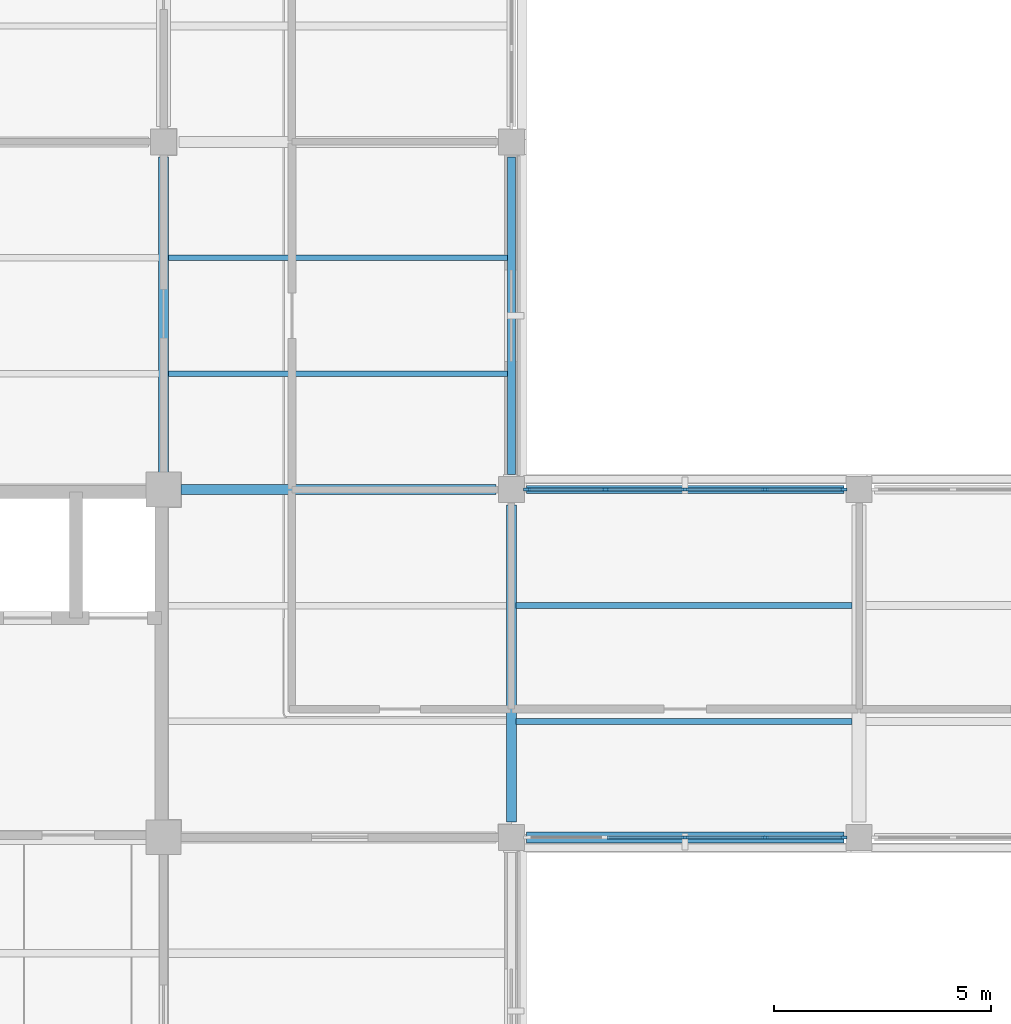
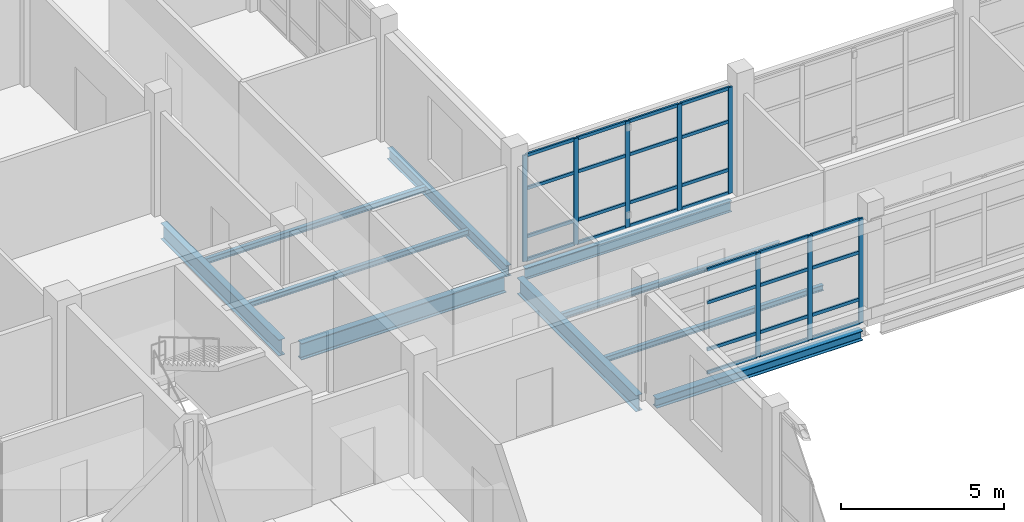
# One storey, part 30 of 121: 36 members, 10 beams, 2 elements without a shape of their own.
"""IFC4 building model written with IfcOpenShell, lengths in metres."""

from ifc_helpers import new_model, si_unit, derived_unit, direction, frame, origin, origin_2d, place, context, subcontext, project, spatial, rectangle, i_section, extrude, material, layer, layer_set, material_profile, profile_set, type_object, element, aggregate, save


model = new_model("IFC4")

# Units and contexts
model_context = context("Model", 3, precision=1e-05, world=origin(), true_north=direction((0.0, 1.0)))
body_context = subcontext(model_context, "Body", "Model", "MODEL_VIEW")
ifc_project = project(units=[si_unit("LENGTHUNIT", "METRE"), si_unit("AREAUNIT", "SQUARE_METRE"), si_unit("VOLUMEUNIT", "CUBIC_METRE"), si_unit("PLANEANGLEUNIT", "RADIAN"), si_unit("MASSUNIT", "GRAM", prefix="KILO"), derived_unit("THERMALTRANSMITTANCEUNIT", [(si_unit("MASSUNIT", "GRAM", prefix="KILO"), 1), (si_unit("TIMEUNIT", "SECOND"), -3), (si_unit("THERMODYNAMICTEMPERATUREUNIT", "KELVIN"), -1)])], contexts=[model_context])

# Site, building, storey
site_placement = place(None, origin())
site = spatial("IfcSite", under=ifc_project, at=site_placement, CompositionType="ELEMENT")
building_placement = place(site_placement, origin())
building = spatial("IfcBuilding", under=site, at=building_placement, Name="Veyamyaing Civic Hall", CompositionType="ELEMENT")
storey_placement = place(building_placement, frame((0.0, 0.0, 5.280029296875)))
storey = spatial("IfcBuildingStorey", under=building, at=storey_placement, Name="L01", CompositionType="ELEMENT", Elevation=5.280029296875)

# Beams
ifc_material_1 = material(Name="Steel ASTM A992", Category="steel")
ifc_material_profile_1 = material_profile(ifc_material_1, i_section(OverallWidth=0.22998046875, OverallDepth=0.616943359375, WebThickness=0.01318359375, FlangeThickness=0.022216796875, FilletRadius=0.012939453125, at=origin_2d()), Name="W610X140")
ifc_profile_set_1 = profile_set([ifc_material_profile_1], Name="Steel ASTM A992")
beam_type_1 = type_object("IfcBeamType", Name="B-05", PredefinedType="BEAM", material=ifc_profile_set_1)
beam_1_placement = place(storey_placement, frame((112.39990234375, 56.0, -0.553466796875), z_axis=(1.0, 0.0, 0.0), x_axis=(0.0, 1.0, 0.0)))
element("IfcBeam", 1, at=beam_1_placement, inside=storey, type_object=beam_type_1, Name="Girder B-05 L01 Grid H 15-16", PredefinedType="BEAM", context=body_context, shape_type="SweptSolid", body=[
    extrude(i_section(OverallWidth=0.22998046875, OverallDepth=0.616943359375, WebThickness=0.01318359375, FlangeThickness=0.022216796875, FilletRadius=0.012939453125, at=origin_2d()), origin(), (0.0, 0.0, 1.0), 7.25),
])
ifc_material_profile_2 = material_profile(ifc_material_1, i_section(OverallWidth=0.22802734375, OverallDepth=0.60791015625, WebThickness=0.01123046875, FlangeThickness=0.017333984375, FilletRadius=0.012939453125, at=origin_2d()), Name="W610X113")
ifc_profile_set_2 = profile_set([ifc_material_profile_2], Name="Steel ASTM A992")
beam_type_2 = type_object("IfcBeamType", Name="B-06", PredefinedType="BEAM", material=ifc_profile_set_2)
beam_2_placement = place(storey_placement, frame((112.0, 56.39990234375, -0.549072265625), z_axis=(0.0, 1.0, 0.0), x_axis=(-1.0, 0.0, 0.0)))
element("IfcBeam", 2, at=beam_2_placement, inside=storey, type_object=beam_type_2, Name="Girder B-06 L01 Grid 15 H-J", PredefinedType="BEAM", context=body_context, shape_type="SweptSolid", body=[
    extrude(i_section(OverallWidth=0.22802734375, OverallDepth=0.60791015625, WebThickness=0.01123046875, FlangeThickness=0.017333984375, FilletRadius=0.012939453125, at=origin_2d()), origin(), (0.0, 0.0, 1.0), 7.25),
])
beam_3_placement = place(storey_placement, frame((120.0, 48.35009765625, -0.549072265625), z_axis=(0.0, 1.0, 0.0), x_axis=(-1.0, 0.0, 0.0)))
element("IfcBeam", 3, at=beam_3_placement, inside=storey, type_object=beam_type_2, Name="Girder B-06 L01 Grid 16 G-H", PredefinedType="BEAM", context=body_context, shape_type="SweptSolid", body=[
    extrude(i_section(OverallWidth=0.22802734375, OverallDepth=0.60791015625, WebThickness=0.01123046875, FlangeThickness=0.017333984375, FilletRadius=0.012939453125, at=origin_2d()), origin(), (0.0, 0.0, 1.0), 7.2998046875),
])
ifc_material_profile_3 = material_profile(ifc_material_1, i_section(OverallWidth=0.179931640625, OverallDepth=0.4130859375, WebThickness=0.009765625, FlangeThickness=0.01611328125, FilletRadius=0.010009765625, at=origin_2d()), Name="W410X74")
ifc_profile_set_3 = profile_set([ifc_material_profile_3], Name="Steel ASTM A992")
beam_type_3 = type_object("IfcBeamType", Name="B-10", PredefinedType="SPANDREL", material=ifc_profile_set_3)
for number, where, z_axis, x_axis, name in (
    (4, (120.35009765625, 56.0, -0.451416015625), (1.0, 0.0, 0.0), (0.0, 1.0, 0.0), "Girder B-10 L01 Grid H 16-17"),
    (5, (120.0, 56.35009765625, -0.451416015625), (0.0, 1.0, 0.0), (-1.0, 0.0, 0.0), "Girder B-10 L01 Grid 16 H-J"),
):
    element("IfcBeam", number, at=place(storey_placement, frame(where, z_axis=z_axis, x_axis=x_axis)), inside=storey, type_object=beam_type_3, Name=name, PredefinedType="SPANDREL", context=body_context, shape_type="SweptSolid", body=[
        extrude(i_section(OverallWidth=0.179931640625, OverallDepth=0.4130859375, WebThickness=0.009765625, FlangeThickness=0.01611328125, FilletRadius=0.010009765625, at=origin_2d()), origin(), (0.0, 0.0, 1.0), 7.2998046875),
    ])
ifc_material_profile_4 = material_profile(ifc_material_1, i_section(OverallWidth=0.25390625, OverallDepth=0.35302734375, WebThickness=0.009521484375, FlangeThickness=0.016357421875, FilletRadius=0.011962890625, at=origin_2d()), Name="W360X91")
ifc_profile_set_4 = profile_set([ifc_material_profile_4], Name="Steel ASTM A992")
beam_type_4 = type_object("IfcBeamType", Name="B-20", PredefinedType="SPANDREL", material=ifc_profile_set_4)
beam_4_placement = place(storey_placement, frame((120.35009765625, 48.0, -0.421630859375), z_axis=(1.0, 0.0, 0.0), x_axis=(0.0, 1.0, 0.0)))
element("IfcBeam", 6, at=beam_4_placement, inside=storey, type_object=beam_type_4, Name="Girder B-20 L01 Grid G 16-17", PredefinedType="SPANDREL", context=body_context, shape_type="SweptSolid", body=[
    extrude(i_section(OverallWidth=0.25390625, OverallDepth=0.35302734375, WebThickness=0.009521484375, FlangeThickness=0.016357421875, FilletRadius=0.011962890625, at=origin_2d()), origin(), (0.0, 0.0, 1.0), 7.2998046875),
])

# Curtain wall, members
ifc_material_2 = material(Name="Anodised aluminium 6063-T6", Category="aluminium")
ifc_layer = layer(ifc_material_2, 0.159912109375, Name="Anodised aluminium 6063-T6")
ifc_layer_set = layer_set([ifc_layer], Name="Anodised aluminium 6063-T6")
curtain_wall_type = type_object("IfcCurtainWallType", Name="CW-02", PredefinedType="NOTDEFINED", material=ifc_layer_set)
curtain_wall_1_placement = place(storey_placement, origin())
curtain_wall_1 = element("IfcCurtainWall", 7, at=curtain_wall_1_placement, inside=storey, type_object=curtain_wall_type, Name="Unitized curtain wall CW-02 L01 S 16.7", PredefinedType="NOTDEFINED")
ifc_material_profile_5 = material_profile(ifc_material_2, rectangle(XDim=0.06494140625, YDim=0.159912109375, at=origin_2d()), Name="ALU-MUL-65X160")
ifc_profile_set_5 = profile_set([ifc_material_profile_5], Name="Anodised aluminium 6063-T6")
member_type_1 = type_object("IfcMemberType", Name="CWM-01", PredefinedType="MULLION", material=ifc_profile_set_5)
member_1_placement = place(storey_placement, frame((124.0, 48.0, 0.0), z_axis=(0.0, 0.0, 1.0), x_axis=(0.0, 1.0, 0.0)))
member_1 = element("IfcMember", 8, at=member_1_placement, type_object=member_type_1, Name="CW-02 mullion 3", PredefinedType="MULLION", context=body_context, shape_type="SweptSolid", body=[
    extrude(rectangle(XDim=0.06494140625, YDim=0.159912109375, at=origin_2d()), origin(), (0.0, 0.0, 1.0), 3.9140625),
])
member_2_placement = place(storey_placement, frame((125.8349609375, 48.0, 0.0), z_axis=(0.0, 0.0, 1.0), x_axis=(0.0, 1.0, 0.0)))
member_2 = element("IfcMember", 9, at=member_2_placement, type_object=member_type_1, Name="CW-02 mullion 4", PredefinedType="MULLION", context=body_context, shape_type="SweptSolid", body=[
    extrude(rectangle(XDim=0.06494140625, YDim=0.159912109375, at=origin_2d()), origin(), (0.0, 0.0, 1.0), 3.9140625),
])
member_3_placement = place(storey_placement, frame((127.637451171875, 48.0, 0.0), z_axis=(0.0, 0.0, 1.0), x_axis=(0.0, 1.0, 0.0)))
member_3 = element("IfcMember", 10, at=member_3_placement, type_object=member_type_1, Name="CW-02 mullion 5", PredefinedType="MULLION", context=body_context, shape_type="SweptSolid", body=[
    extrude(rectangle(XDim=0.06494140625, YDim=0.159912109375, at=origin_2d()), origin(), (0.0, 0.0, 1.0), 3.9140625),
])

curtain_wall_2_placement = place(storey_placement, origin())
curtain_wall_2 = element("IfcCurtainWall", 11, at=curtain_wall_2_placement, inside=storey, type_object=curtain_wall_type, Name="Unitized curtain wall CW-02 L01 N 16.7", PredefinedType="NOTDEFINED")
member_4_placement = place(storey_placement, frame((120.362548828125, 56.0, 0.0), z_axis=(0.0, 0.0, 1.0), x_axis=(0.0, 1.0, 0.0)))
member_4 = element("IfcMember", 12, at=member_4_placement, type_object=member_type_1, Name="CW-02 mullion 1", PredefinedType="MULLION", context=body_context, shape_type="SweptSolid", body=[
    extrude(rectangle(XDim=0.06494140625, YDim=0.159912109375, at=origin_2d()), origin(), (0.0, 0.0, 1.0), 3.97705078125),
])
member_5_placement = place(storey_placement, frame((122.1650390625, 56.0, 0.0), z_axis=(0.0, 0.0, 1.0), x_axis=(0.0, 1.0, 0.0)))
member_5 = element("IfcMember", 13, at=member_5_placement, type_object=member_type_1, Name="CW-02 mullion 2", PredefinedType="MULLION", context=body_context, shape_type="SweptSolid", body=[
    extrude(rectangle(XDim=0.06494140625, YDim=0.159912109375, at=origin_2d()), origin(), (0.0, 0.0, 1.0), 3.97705078125),
])
member_6_placement = place(storey_placement, frame((124.0, 56.0, 0.0), z_axis=(0.0, 0.0, 1.0), x_axis=(0.0, 1.0, 0.0)))
member_6 = element("IfcMember", 14, at=member_6_placement, type_object=member_type_1, Name="CW-02 mullion 3", PredefinedType="MULLION", context=body_context, shape_type="SweptSolid", body=[
    extrude(rectangle(XDim=0.06494140625, YDim=0.159912109375, at=origin_2d()), origin(), (0.0, 0.0, 1.0), 3.97705078125),
])
member_7_placement = place(storey_placement, frame((125.8349609375, 56.0, 0.0), z_axis=(0.0, 0.0, 1.0), x_axis=(0.0, 1.0, 0.0)))
member_7 = element("IfcMember", 15, at=member_7_placement, type_object=member_type_1, Name="CW-02 mullion 4", PredefinedType="MULLION", context=body_context, shape_type="SweptSolid", body=[
    extrude(rectangle(XDim=0.06494140625, YDim=0.159912109375, at=origin_2d()), origin(), (0.0, 0.0, 1.0), 3.97705078125),
])
member_8_placement = place(storey_placement, frame((127.637451171875, 56.0, 0.0), z_axis=(0.0, 0.0, 1.0), x_axis=(0.0, 1.0, 0.0)))
member_8 = element("IfcMember", 16, at=member_8_placement, type_object=member_type_1, Name="CW-02 mullion 5", PredefinedType="MULLION", context=body_context, shape_type="SweptSolid", body=[
    extrude(rectangle(XDim=0.06494140625, YDim=0.159912109375, at=origin_2d()), origin(), (0.0, 0.0, 1.0), 3.97705078125),
])

# Member
ifc_material_profile_6 = material_profile(ifc_material_2, rectangle(XDim=0.06494140625, YDim=0.1201171875, at=origin_2d()), Name="ALU-TRN-65X120")
ifc_profile_set_6 = profile_set([ifc_material_profile_6], Name="Anodised aluminium 6063-T6")
member_type_2 = type_object("IfcMemberType", Name="CWT-01", PredefinedType="USERDEFINED", material=ifc_profile_set_6)
member_9_placement = place(storey_placement, frame((122.197509765625, 48.0, 0.032470703125), z_axis=(1.0, 0.0, 0.0), x_axis=(0.0, 1.0, 0.0)))
member_9 = element("IfcMember", 17, at=member_9_placement, type_object=member_type_2, Name="CW-02 transom 2.1", ObjectType="TRANSOM", PredefinedType="USERDEFINED", context=body_context, shape_type="SweptSolid", body=[
    extrude(rectangle(XDim=0.06494140625, YDim=0.1201171875, at=origin_2d()), origin(), (0.0, 0.0, 1.0), 1.77001953125),
])

member_10_placement = place(storey_placement, frame((122.197509765625, 48.0, 0.89990234375), z_axis=(1.0, 0.0, 0.0), x_axis=(0.0, 1.0, 0.0)))
member_10 = element("IfcMember", 18, at=member_10_placement, type_object=member_type_2, Name="CW-02 transom 2.2", ObjectType="TRANSOM", PredefinedType="USERDEFINED", context=body_context, shape_type="SweptSolid", body=[
    extrude(rectangle(XDim=0.06494140625, YDim=0.1201171875, at=origin_2d()), origin(), (0.0, 0.0, 1.0), 1.77001953125),
])

member_11_placement = place(storey_placement, frame((122.197509765625, 48.0, 2.661376953125), z_axis=(1.0, 0.0, 0.0), x_axis=(0.0, 1.0, 0.0)))
member_11 = element("IfcMember", 19, at=member_11_placement, type_object=member_type_2, Name="CW-02 transom 2.3", ObjectType="TRANSOM", PredefinedType="USERDEFINED", context=body_context, shape_type="SweptSolid", body=[
    extrude(rectangle(XDim=0.06494140625, YDim=0.1201171875, at=origin_2d()), origin(), (0.0, 0.0, 1.0), 1.77001953125),
])

member_12_placement = place(storey_placement, frame((122.197509765625, 48.0, 3.881591796875), z_axis=(1.0, 0.0, 0.0), x_axis=(0.0, 1.0, 0.0)))
member_12 = element("IfcMember", 20, at=member_12_placement, type_object=member_type_2, Name="CW-02 transom 2.4", ObjectType="TRANSOM", PredefinedType="USERDEFINED", context=body_context, shape_type="SweptSolid", body=[
    extrude(rectangle(XDim=0.06494140625, YDim=0.1201171875, at=origin_2d()), origin(), (0.0, 0.0, 1.0), 1.77001953125),
])

member_13_placement = place(storey_placement, frame((124.032470703125, 48.0, 0.032470703125), z_axis=(1.0, 0.0, 0.0), x_axis=(0.0, 1.0, 0.0)))
member_13 = element("IfcMember", 21, at=member_13_placement, type_object=member_type_2, Name="CW-02 transom 3.1", ObjectType="TRANSOM", PredefinedType="USERDEFINED", context=body_context, shape_type="SweptSolid", body=[
    extrude(rectangle(XDim=0.06494140625, YDim=0.1201171875, at=origin_2d()), origin(), (0.0, 0.0, 1.0), 1.77001953125),
])

member_14_placement = place(storey_placement, frame((124.032470703125, 48.0, 0.89990234375), z_axis=(1.0, 0.0, 0.0), x_axis=(0.0, 1.0, 0.0)))
member_14 = element("IfcMember", 22, at=member_14_placement, type_object=member_type_2, Name="CW-02 transom 3.2", ObjectType="TRANSOM", PredefinedType="USERDEFINED", context=body_context, shape_type="SweptSolid", body=[
    extrude(rectangle(XDim=0.06494140625, YDim=0.1201171875, at=origin_2d()), origin(), (0.0, 0.0, 1.0), 1.77001953125),
])

member_15_placement = place(storey_placement, frame((124.032470703125, 48.0, 2.661376953125), z_axis=(1.0, 0.0, 0.0), x_axis=(0.0, 1.0, 0.0)))
member_15 = element("IfcMember", 23, at=member_15_placement, type_object=member_type_2, Name="CW-02 transom 3.3", ObjectType="TRANSOM", PredefinedType="USERDEFINED", context=body_context, shape_type="SweptSolid", body=[
    extrude(rectangle(XDim=0.06494140625, YDim=0.1201171875, at=origin_2d()), origin(), (0.0, 0.0, 1.0), 1.77001953125),
])

member_16_placement = place(storey_placement, frame((124.032470703125, 48.0, 3.881591796875), z_axis=(1.0, 0.0, 0.0), x_axis=(0.0, 1.0, 0.0)))
member_16 = element("IfcMember", 24, at=member_16_placement, type_object=member_type_2, Name="CW-02 transom 3.4", ObjectType="TRANSOM", PredefinedType="USERDEFINED", context=body_context, shape_type="SweptSolid", body=[
    extrude(rectangle(XDim=0.06494140625, YDim=0.1201171875, at=origin_2d()), origin(), (0.0, 0.0, 1.0), 1.77001953125),
])

member_17_placement = place(storey_placement, frame((125.867431640625, 48.0, 0.032470703125), z_axis=(1.0, 0.0, 0.0), x_axis=(0.0, 1.0, 0.0)))
member_17 = element("IfcMember", 25, at=member_17_placement, type_object=member_type_2, Name="CW-02 transom 4.1", ObjectType="TRANSOM", PredefinedType="USERDEFINED", context=body_context, shape_type="SweptSolid", body=[
    extrude(rectangle(XDim=0.06494140625, YDim=0.1201171875, at=origin_2d()), origin(), (0.0, 0.0, 1.0), 1.737548828125),
])

member_18_placement = place(storey_placement, frame((125.867431640625, 48.0, 0.89990234375), z_axis=(1.0, 0.0, 0.0), x_axis=(0.0, 1.0, 0.0)))
member_18 = element("IfcMember", 26, at=member_18_placement, type_object=member_type_2, Name="CW-02 transom 4.2", ObjectType="TRANSOM", PredefinedType="USERDEFINED", context=body_context, shape_type="SweptSolid", body=[
    extrude(rectangle(XDim=0.06494140625, YDim=0.1201171875, at=origin_2d()), origin(), (0.0, 0.0, 1.0), 1.737548828125),
])

member_19_placement = place(storey_placement, frame((125.867431640625, 48.0, 2.661376953125), z_axis=(1.0, 0.0, 0.0), x_axis=(0.0, 1.0, 0.0)))
member_19 = element("IfcMember", 27, at=member_19_placement, type_object=member_type_2, Name="CW-02 transom 4.3", ObjectType="TRANSOM", PredefinedType="USERDEFINED", context=body_context, shape_type="SweptSolid", body=[
    extrude(rectangle(XDim=0.06494140625, YDim=0.1201171875, at=origin_2d()), origin(), (0.0, 0.0, 1.0), 1.737548828125),
])

member_20_placement = place(storey_placement, frame((125.867431640625, 48.0, 3.881591796875), z_axis=(1.0, 0.0, 0.0), x_axis=(0.0, 1.0, 0.0)))
member_20 = element("IfcMember", 28, at=member_20_placement, type_object=member_type_2, Name="CW-02 transom 4.4", ObjectType="TRANSOM", PredefinedType="USERDEFINED", context=body_context, shape_type="SweptSolid", body=[
    extrude(rectangle(XDim=0.06494140625, YDim=0.1201171875, at=origin_2d()), origin(), (0.0, 0.0, 1.0), 1.737548828125),
])

aggregate(curtain_wall_1, [member_1, member_2, member_3, member_9, member_10, member_11, member_12, member_13, member_14, member_15, member_16, member_17, member_18, member_19, member_20])

member_21_placement = place(storey_placement, frame((120.39501953125, 56.0, 0.032470703125), z_axis=(1.0, 0.0, 0.0), x_axis=(0.0, 1.0, 0.0)))
member_21 = element("IfcMember", 29, at=member_21_placement, type_object=member_type_2, Name="CW-02 transom 1.1", ObjectType="TRANSOM", PredefinedType="USERDEFINED", context=body_context, shape_type="SweptSolid", body=[
    extrude(rectangle(XDim=0.06494140625, YDim=0.1201171875, at=origin_2d()), origin(), (0.0, 0.0, 1.0), 1.737548828125),
])

member_22_placement = place(storey_placement, frame((120.39501953125, 56.0, 0.89990234375), z_axis=(1.0, 0.0, 0.0), x_axis=(0.0, 1.0, 0.0)))
member_22 = element("IfcMember", 30, at=member_22_placement, type_object=member_type_2, Name="CW-02 transom 1.2", ObjectType="TRANSOM", PredefinedType="USERDEFINED", context=body_context, shape_type="SweptSolid", body=[
    extrude(rectangle(XDim=0.06494140625, YDim=0.1201171875, at=origin_2d()), origin(), (0.0, 0.0, 1.0), 1.737548828125),
])

member_23_placement = place(storey_placement, frame((120.39501953125, 56.0, 2.704345703125), z_axis=(1.0, 0.0, 0.0), x_axis=(0.0, 1.0, 0.0)))
member_23 = element("IfcMember", 31, at=member_23_placement, type_object=member_type_2, Name="CW-02 transom 1.3", ObjectType="TRANSOM", PredefinedType="USERDEFINED", context=body_context, shape_type="SweptSolid", body=[
    extrude(rectangle(XDim=0.06494140625, YDim=0.1201171875, at=origin_2d()), origin(), (0.0, 0.0, 1.0), 1.737548828125),
])

member_24_placement = place(storey_placement, frame((120.39501953125, 56.0, 3.944580078125), z_axis=(1.0, 0.0, 0.0), x_axis=(0.0, 1.0, 0.0)))
member_24 = element("IfcMember", 32, at=member_24_placement, type_object=member_type_2, Name="CW-02 transom 1.4", ObjectType="TRANSOM", PredefinedType="USERDEFINED", context=body_context, shape_type="SweptSolid", body=[
    extrude(rectangle(XDim=0.06494140625, YDim=0.1201171875, at=origin_2d()), origin(), (0.0, 0.0, 1.0), 1.737548828125),
])

member_25_placement = place(storey_placement, frame((122.197509765625, 56.0, 0.032470703125), z_axis=(1.0, 0.0, 0.0), x_axis=(0.0, 1.0, 0.0)))
member_25 = element("IfcMember", 33, at=member_25_placement, type_object=member_type_2, Name="CW-02 transom 2.1", ObjectType="TRANSOM", PredefinedType="USERDEFINED", context=body_context, shape_type="SweptSolid", body=[
    extrude(rectangle(XDim=0.06494140625, YDim=0.1201171875, at=origin_2d()), origin(), (0.0, 0.0, 1.0), 1.77001953125),
])

member_26_placement = place(storey_placement, frame((122.197509765625, 56.0, 0.89990234375), z_axis=(1.0, 0.0, 0.0), x_axis=(0.0, 1.0, 0.0)))
member_26 = element("IfcMember", 34, at=member_26_placement, type_object=member_type_2, Name="CW-02 transom 2.2", ObjectType="TRANSOM", PredefinedType="USERDEFINED", context=body_context, shape_type="SweptSolid", body=[
    extrude(rectangle(XDim=0.06494140625, YDim=0.1201171875, at=origin_2d()), origin(), (0.0, 0.0, 1.0), 1.77001953125),
])

member_27_placement = place(storey_placement, frame((122.197509765625, 56.0, 2.704345703125), z_axis=(1.0, 0.0, 0.0), x_axis=(0.0, 1.0, 0.0)))
member_27 = element("IfcMember", 35, at=member_27_placement, type_object=member_type_2, Name="CW-02 transom 2.3", ObjectType="TRANSOM", PredefinedType="USERDEFINED", context=body_context, shape_type="SweptSolid", body=[
    extrude(rectangle(XDim=0.06494140625, YDim=0.1201171875, at=origin_2d()), origin(), (0.0, 0.0, 1.0), 1.77001953125),
])

member_28_placement = place(storey_placement, frame((122.197509765625, 56.0, 3.944580078125), z_axis=(1.0, 0.0, 0.0), x_axis=(0.0, 1.0, 0.0)))
member_28 = element("IfcMember", 36, at=member_28_placement, type_object=member_type_2, Name="CW-02 transom 2.4", ObjectType="TRANSOM", PredefinedType="USERDEFINED", context=body_context, shape_type="SweptSolid", body=[
    extrude(rectangle(XDim=0.06494140625, YDim=0.1201171875, at=origin_2d()), origin(), (0.0, 0.0, 1.0), 1.77001953125),
])

member_29_placement = place(storey_placement, frame((124.032470703125, 56.0, 0.032470703125), z_axis=(1.0, 0.0, 0.0), x_axis=(0.0, 1.0, 0.0)))
member_29 = element("IfcMember", 37, at=member_29_placement, type_object=member_type_2, Name="CW-02 transom 3.1", ObjectType="TRANSOM", PredefinedType="USERDEFINED", context=body_context, shape_type="SweptSolid", body=[
    extrude(rectangle(XDim=0.06494140625, YDim=0.1201171875, at=origin_2d()), origin(), (0.0, 0.0, 1.0), 1.77001953125),
])

member_30_placement = place(storey_placement, frame((124.032470703125, 56.0, 0.89990234375), z_axis=(1.0, 0.0, 0.0), x_axis=(0.0, 1.0, 0.0)))
member_30 = element("IfcMember", 38, at=member_30_placement, type_object=member_type_2, Name="CW-02 transom 3.2", ObjectType="TRANSOM", PredefinedType="USERDEFINED", context=body_context, shape_type="SweptSolid", body=[
    extrude(rectangle(XDim=0.06494140625, YDim=0.1201171875, at=origin_2d()), origin(), (0.0, 0.0, 1.0), 1.77001953125),
])

member_31_placement = place(storey_placement, frame((124.032470703125, 56.0, 2.704345703125), z_axis=(1.0, 0.0, 0.0), x_axis=(0.0, 1.0, 0.0)))
member_31 = element("IfcMember", 39, at=member_31_placement, type_object=member_type_2, Name="CW-02 transom 3.3", ObjectType="TRANSOM", PredefinedType="USERDEFINED", context=body_context, shape_type="SweptSolid", body=[
    extrude(rectangle(XDim=0.06494140625, YDim=0.1201171875, at=origin_2d()), origin(), (0.0, 0.0, 1.0), 1.77001953125),
])

member_32_placement = place(storey_placement, frame((124.032470703125, 56.0, 3.944580078125), z_axis=(1.0, 0.0, 0.0), x_axis=(0.0, 1.0, 0.0)))
member_32 = element("IfcMember", 40, at=member_32_placement, type_object=member_type_2, Name="CW-02 transom 3.4", ObjectType="TRANSOM", PredefinedType="USERDEFINED", context=body_context, shape_type="SweptSolid", body=[
    extrude(rectangle(XDim=0.06494140625, YDim=0.1201171875, at=origin_2d()), origin(), (0.0, 0.0, 1.0), 1.77001953125),
])

member_33_placement = place(storey_placement, frame((125.867431640625, 56.0, 0.032470703125), z_axis=(1.0, 0.0, 0.0), x_axis=(0.0, 1.0, 0.0)))
member_33 = element("IfcMember", 41, at=member_33_placement, type_object=member_type_2, Name="CW-02 transom 4.1", ObjectType="TRANSOM", PredefinedType="USERDEFINED", context=body_context, shape_type="SweptSolid", body=[
    extrude(rectangle(XDim=0.06494140625, YDim=0.1201171875, at=origin_2d()), origin(), (0.0, 0.0, 1.0), 1.737548828125),
])

member_34_placement = place(storey_placement, frame((125.867431640625, 56.0, 0.89990234375), z_axis=(1.0, 0.0, 0.0), x_axis=(0.0, 1.0, 0.0)))
member_34 = element("IfcMember", 42, at=member_34_placement, type_object=member_type_2, Name="CW-02 transom 4.2", ObjectType="TRANSOM", PredefinedType="USERDEFINED", context=body_context, shape_type="SweptSolid", body=[
    extrude(rectangle(XDim=0.06494140625, YDim=0.1201171875, at=origin_2d()), origin(), (0.0, 0.0, 1.0), 1.737548828125),
])

member_35_placement = place(storey_placement, frame((125.867431640625, 56.0, 2.704345703125), z_axis=(1.0, 0.0, 0.0), x_axis=(0.0, 1.0, 0.0)))
member_35 = element("IfcMember", 43, at=member_35_placement, type_object=member_type_2, Name="CW-02 transom 4.3", ObjectType="TRANSOM", PredefinedType="USERDEFINED", context=body_context, shape_type="SweptSolid", body=[
    extrude(rectangle(XDim=0.06494140625, YDim=0.1201171875, at=origin_2d()), origin(), (0.0, 0.0, 1.0), 1.737548828125),
])

member_36_placement = place(storey_placement, frame((125.867431640625, 56.0, 3.944580078125), z_axis=(1.0, 0.0, 0.0), x_axis=(0.0, 1.0, 0.0)))
member_36 = element("IfcMember", 44, at=member_36_placement, type_object=member_type_2, Name="CW-02 transom 4.4", ObjectType="TRANSOM", PredefinedType="USERDEFINED", context=body_context, shape_type="SweptSolid", body=[
    extrude(rectangle(XDim=0.06494140625, YDim=0.1201171875, at=origin_2d()), origin(), (0.0, 0.0, 1.0), 1.737548828125),
])

aggregate(curtain_wall_2, [member_4, member_5, member_6, member_7, member_8, member_21, member_22, member_23, member_24, member_25, member_26, member_27, member_28, member_29, member_30, member_31, member_32, member_33, member_34, member_35, member_36])

# Beams
ifc_material_profile_7 = material_profile(ifc_material_1, i_section(OverallWidth=0.133056640625, OverallDepth=0.20703125, WebThickness=0.005859375, FlangeThickness=0.00830078125, FilletRadius=0.010009765625, at=origin_2d()), Name="W200X27")
ifc_profile_set_7 = profile_set([ifc_material_profile_7], Name="Steel ASTM A992")
beam_type_5 = type_object("IfcBeamType", Name="J-08", PredefinedType="JOIST", material=ifc_profile_set_7)
for number, where, z_axis, x_axis, name in (
    (45, (112.112060546875, 58.666748046875, -0.3486328125), (1.0, 0.0, 0.0), (0.0, 1.0, 0.0), "Composite floor joist J-08 L01 15.8.1"),
    (46, (112.112060546875, 61.333251953125, -0.3486328125), (1.0, 0.0, 0.0), (0.0, 1.0, 0.0), "Composite floor joist J-08 L01 15.8.2"),
):
    element("IfcBeam", number, at=place(storey_placement, frame(where, z_axis=z_axis, x_axis=x_axis)), inside=storey, type_object=beam_type_5, Name=name, PredefinedType="JOIST", context=body_context, shape_type="SweptSolid", body=[
        extrude(i_section(OverallWidth=0.133056640625, OverallDepth=0.20703125, WebThickness=0.005859375, FlangeThickness=0.00830078125, FilletRadius=0.010009765625, at=origin_2d()), origin(), (0.0, 0.0, 1.0), 7.800048828125),
    ])
for number, where, z_axis, x_axis, name in (
    (47, (120.112060546875, 50.666748046875, -0.3486328125), (1.0, 0.0, 0.0), (0.0, 1.0, 0.0), "Composite floor joist J-08 L01 16.7.1"),
    (48, (120.112060546875, 53.333251953125, -0.3486328125), (1.0, 0.0, 0.0), (0.0, 1.0, 0.0), "Composite floor joist J-08 L01 16.7.2"),
):
    element("IfcBeam", number, at=place(storey_placement, frame(where, z_axis=z_axis, x_axis=x_axis)), inside=storey, type_object=beam_type_5, Name=name, PredefinedType="JOIST", context=body_context, shape_type="SweptSolid", body=[
        extrude(i_section(OverallWidth=0.133056640625, OverallDepth=0.20703125, WebThickness=0.005859375, FlangeThickness=0.00830078125, FilletRadius=0.010009765625, at=origin_2d()), origin(), (0.0, 0.0, 1.0), 7.7275390625),
    ])

save(model, "model.ifc")
